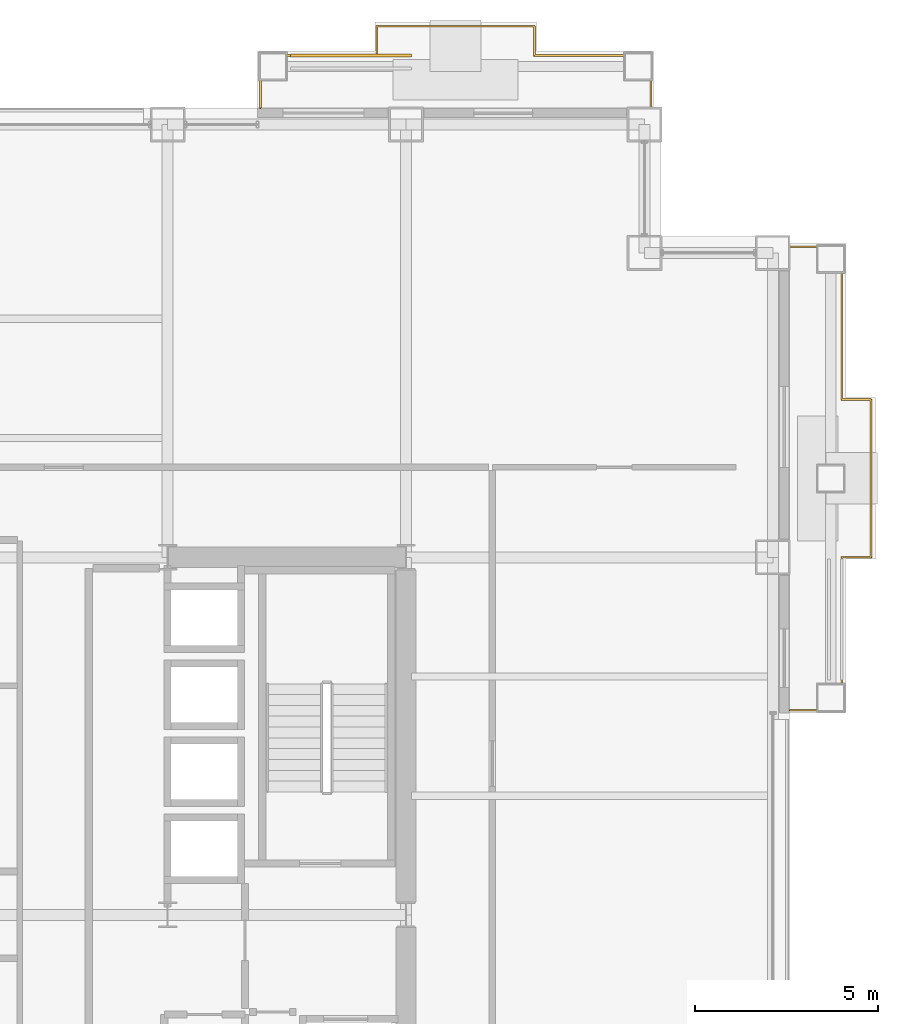
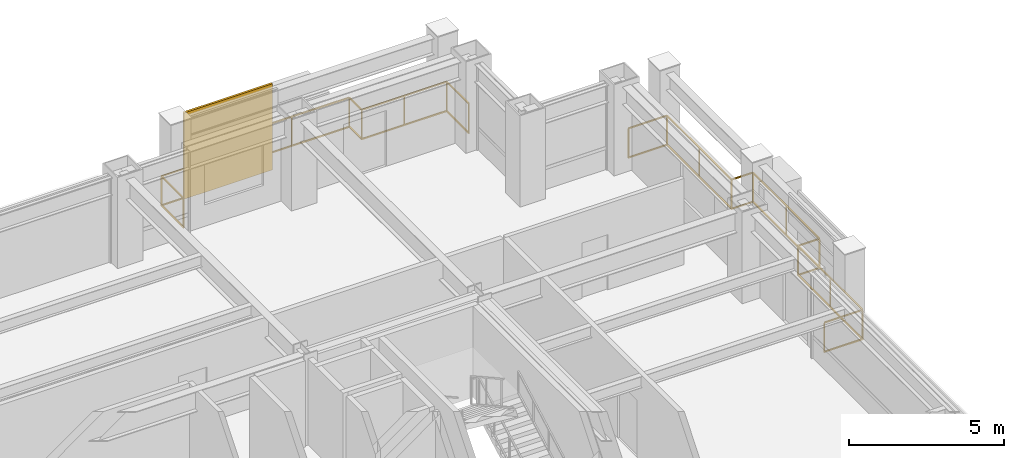
# One storey, part 30 of 31: 2 railings, 1 shading device.
"""IFC4 building model written with IfcOpenShell, lengths in metres."""

from ifc_helpers import new_model, si_unit, direction, frame, origin, origin_2d, place, context, subcontext, project, spatial, rectangle, extrude, material, layer, layer_set, type_object, element, save


model = new_model("IFC4")

# Units and contexts
model_context = context("Model", 3, precision=1e-05, world=origin(), true_north=direction((0.0, 1.0)))
body_context = subcontext(model_context, "Body", "Model", "MODEL_VIEW")
ifc_project = project(units=[si_unit("LENGTHUNIT", "METRE"), si_unit("AREAUNIT", "SQUARE_METRE"), si_unit("VOLUMEUNIT", "CUBIC_METRE"), si_unit("PLANEANGLEUNIT", "RADIAN"), si_unit("MASSUNIT", "GRAM", prefix="KILO")], contexts=[model_context])

# Site, building, storey
site_placement = place(None, origin())
site = spatial("IfcSite", under=ifc_project, at=site_placement, CompositionType="ELEMENT")
building_placement = place(site_placement, origin())
building = spatial("IfcBuilding", under=site, at=building_placement, Name="Brelmoor Portico Tower", CompositionType="ELEMENT")
storey_placement = place(building_placement, frame((0.0, 0.0, 27.60009765625)))
storey = spatial("IfcBuildingStorey", under=building, at=storey_placement, Name="L06", CompositionType="ELEMENT", Elevation=27.60009765625)

# Railings
ifc_material_1 = material(Name="Perforated Pale Champagne Aluminium Fretwork Guard", Category="aluminium")
railing_type = type_object("IfcRailingType", Name="RL-BALUSTRADE-1200", PredefinedType="BALUSTRADE", material=ifc_material_1)
railing_1_placement = place(storey_placement, frame((10.580078125, 22.0, 0.0)))
element("IfcRailing", 1, at=railing_1_placement, inside=storey, type_object=railing_type, Name="L06 Tree Balcony Fretwork Balustrade N", PredefinedType="BALUSTRADE", context=body_context, shape_type="SweptSolid", body=[
    extrude(rectangle(XDim=0.048095703125, YDim=0.048095703125, at=origin_2d()), frame((0.0, 0.0, 1.17578125), z_axis=(0.0, 1.0, 0.0), x_axis=(-1.0, 0.0, 0.0)), (0.0, 0.0, 1.0), 1.429931640625),
    extrude(rectangle(XDim=0.048095703125, YDim=0.048095703125, at=origin_2d()), frame((0.0, 0.0, 0.02392578125), z_axis=(0.0, 1.0, 0.0), x_axis=(-1.0, 0.0, 0.0)), (0.0, 0.0, 1.0), 1.429931640625),
    extrude(rectangle(XDim=0.048095703125, YDim=0.048095703125, at=origin_2d()), frame((0.0, 1.429931640625, 1.17578125), z_axis=(1.0, 0.0, 0.0), x_axis=(0.0, 1.0, 0.0)), (0.0, 0.0, 1.0), 3.169921875),
    extrude(rectangle(XDim=0.048095703125, YDim=0.048095703125, at=origin_2d()), frame((0.0, 1.429931640625, 0.02392578125), z_axis=(1.0, 0.0, 0.0), x_axis=(0.0, 1.0, 0.0)), (0.0, 0.0, 1.0), 3.169921875),
    extrude(rectangle(XDim=0.048095703125, YDim=0.048095703125, at=origin_2d()), frame((3.169921875, 1.429931640625, 1.17578125), z_axis=(0.0, 1.0, 0.0), x_axis=(-1.0, 0.0, 0.0)), (0.0, 0.0, 1.0), 0.800048828125),
    extrude(rectangle(XDim=0.048095703125, YDim=0.048095703125, at=origin_2d()), frame((3.169921875, 1.429931640625, 0.02392578125), z_axis=(0.0, 1.0, 0.0), x_axis=(-1.0, 0.0, 0.0)), (0.0, 0.0, 1.0), 0.800048828125),
    extrude(rectangle(XDim=0.048095703125, YDim=0.048095703125, at=origin_2d()), frame((3.169921875, 2.22998046875, 1.17578125), z_axis=(1.0, 0.0, 0.0), x_axis=(0.0, 1.0, 0.0)), (0.0, 0.0, 1.0), 4.300048828125),
    extrude(rectangle(XDim=0.048095703125, YDim=0.048095703125, at=origin_2d()), frame((3.169921875, 2.22998046875, 0.02392578125), z_axis=(1.0, 0.0, 0.0), x_axis=(0.0, 1.0, 0.0)), (0.0, 0.0, 1.0), 4.300048828125),
    extrude(rectangle(XDim=0.048095703125, YDim=0.048095703125, at=origin_2d()), frame((7.469970703125, 2.22998046875, 1.17578125), z_axis=(0.0, -1.0, 0.0), x_axis=(1.0, 0.0, 0.0)), (0.0, 0.0, 1.0), 0.800048828125),
    extrude(rectangle(XDim=0.048095703125, YDim=0.048095703125, at=origin_2d()), frame((7.469970703125, 2.22998046875, 0.02392578125), z_axis=(0.0, -1.0, 0.0), x_axis=(1.0, 0.0, 0.0)), (0.0, 0.0, 1.0), 0.800048828125),
    extrude(rectangle(XDim=0.048095703125, YDim=0.048095703125, at=origin_2d()), frame((7.469970703125, 1.429931640625, 1.17578125), z_axis=(1.0, 0.0, 0.0), x_axis=(0.0, 1.0, 0.0)), (0.0, 0.0, 1.0), 3.169921875),
    extrude(rectangle(XDim=0.048095703125, YDim=0.048095703125, at=origin_2d()), frame((7.469970703125, 1.429931640625, 0.02392578125), z_axis=(1.0, 0.0, 0.0), x_axis=(0.0, 1.0, 0.0)), (0.0, 0.0, 1.0), 3.169921875),
    extrude(rectangle(XDim=0.048095703125, YDim=0.048095703125, at=origin_2d()), frame((10.639892578125, 1.429931640625, 1.17578125), z_axis=(0.0, -1.0, 0.0), x_axis=(1.0, 0.0, 0.0)), (0.0, 0.0, 1.0), 1.429931640625),
    extrude(rectangle(XDim=0.048095703125, YDim=0.048095703125, at=origin_2d()), frame((10.639892578125, 1.429931640625, 0.02392578125), z_axis=(0.0, -1.0, 0.0), x_axis=(1.0, 0.0, 0.0)), (0.0, 0.0, 1.0), 1.429931640625),
    extrude(rectangle(XDim=0.0419921875, YDim=0.0419921875, at=origin_2d()), origin(), (0.0, 0.0, 1.0), 1.15185546875),
    extrude(rectangle(XDim=0.0419921875, YDim=0.0419921875, at=origin_2d()), frame((0.0, 1.429931640625, 0.0)), (0.0, 0.0, 1.0), 1.15185546875),
    extrude(rectangle(XDim=0.0419921875, YDim=0.0419921875, at=origin_2d()), frame((1.5849609375, 1.429931640625, 0.0)), (0.0, 0.0, 1.0), 1.15185546875),
    extrude(rectangle(XDim=0.0419921875, YDim=0.0419921875, at=origin_2d()), frame((3.169921875, 1.429931640625, 0.0)), (0.0, 0.0, 1.0), 1.15185546875),
    extrude(rectangle(XDim=0.0419921875, YDim=0.0419921875, at=origin_2d()), frame((3.169921875, 2.22998046875, 0.0)), (0.0, 0.0, 1.0), 1.15185546875),
    extrude(rectangle(XDim=0.0419921875, YDim=0.0419921875, at=origin_2d()), frame((5.31982421875, 2.22998046875, 0.0)), (0.0, 0.0, 1.0), 1.15185546875),
    extrude(rectangle(XDim=0.0419921875, YDim=0.0419921875, at=origin_2d()), frame((7.469970703125, 2.22998046875, 0.0)), (0.0, 0.0, 1.0), 1.15185546875),
    extrude(rectangle(XDim=0.0419921875, YDim=0.0419921875, at=origin_2d()), frame((7.469970703125, 1.429931640625, 0.0)), (0.0, 0.0, 1.0), 1.15185546875),
    extrude(rectangle(XDim=0.0419921875, YDim=0.0419921875, at=origin_2d()), frame((9.054931640625, 1.429931640625, 0.0)), (0.0, 0.0, 1.0), 1.15185546875),
    extrude(rectangle(XDim=0.0419921875, YDim=0.0419921875, at=origin_2d()), frame((10.639892578125, 1.429931640625, 0.0)), (0.0, 0.0, 1.0), 1.15185546875),
    extrude(rectangle(XDim=0.0419921875, YDim=0.0419921875, at=origin_2d()), frame((10.639892578125, 0.0, 0.0)), (0.0, 0.0, 1.0), 1.15185546875),
])
railing_2_placement = place(storey_placement, frame((25.0, 5.580078125, 0.0)))
element("IfcRailing", 2, at=railing_2_placement, inside=storey, type_object=railing_type, Name="L06 Tree Balcony Fretwork Balustrade E", PredefinedType="BALUSTRADE", context=body_context, shape_type="SweptSolid", body=[
    extrude(rectangle(XDim=0.048095703125, YDim=0.048095703125, at=origin_2d()), frame((0.0, 0.0, 1.17578125), z_axis=(1.0, 0.0, 0.0), x_axis=(0.0, 1.0, 0.0)), (0.0, 0.0, 1.0), 1.429931640625),
    extrude(rectangle(XDim=0.048095703125, YDim=0.048095703125, at=origin_2d()), frame((0.0, 0.0, 0.02392578125), z_axis=(1.0, 0.0, 0.0), x_axis=(0.0, 1.0, 0.0)), (0.0, 0.0, 1.0), 1.429931640625),
    extrude(rectangle(XDim=0.048095703125, YDim=0.048095703125, at=origin_2d()), frame((1.429931640625, 0.0, 1.17578125), z_axis=(0.0, 1.0, 0.0), x_axis=(-1.0, 0.0, 0.0)), (0.0, 0.0, 1.0), 4.169921875),
    extrude(rectangle(XDim=0.048095703125, YDim=0.048095703125, at=origin_2d()), frame((1.429931640625, 0.0, 0.02392578125), z_axis=(0.0, 1.0, 0.0), x_axis=(-1.0, 0.0, 0.0)), (0.0, 0.0, 1.0), 4.169921875),
    extrude(rectangle(XDim=0.048095703125, YDim=0.048095703125, at=origin_2d()), frame((1.429931640625, 4.169921875, 1.17578125), z_axis=(1.0, 0.0, 0.0), x_axis=(0.0, 1.0, 0.0)), (0.0, 0.0, 1.0), 0.800048828125),
    extrude(rectangle(XDim=0.048095703125, YDim=0.048095703125, at=origin_2d()), frame((1.429931640625, 4.169921875, 0.02392578125), z_axis=(1.0, 0.0, 0.0), x_axis=(0.0, 1.0, 0.0)), (0.0, 0.0, 1.0), 0.800048828125),
    extrude(rectangle(XDim=0.048095703125, YDim=0.048095703125, at=origin_2d()), frame((2.22998046875, 4.169921875, 1.17578125), z_axis=(0.0, 1.0, 0.0), x_axis=(-1.0, 0.0, 0.0)), (0.0, 0.0, 1.0), 4.300048828125),
    extrude(rectangle(XDim=0.048095703125, YDim=0.048095703125, at=origin_2d()), frame((2.22998046875, 4.169921875, 0.02392578125), z_axis=(0.0, 1.0, 0.0), x_axis=(-1.0, 0.0, 0.0)), (0.0, 0.0, 1.0), 4.300048828125),
    extrude(rectangle(XDim=0.048095703125, YDim=0.048095703125, at=origin_2d()), frame((2.22998046875, 8.469970703125, 1.17578125), z_axis=(-1.0, 0.0, 0.0), x_axis=(0.0, -1.0, 0.0)), (0.0, 0.0, 1.0), 0.800048828125),
    extrude(rectangle(XDim=0.048095703125, YDim=0.048095703125, at=origin_2d()), frame((2.22998046875, 8.469970703125, 0.02392578125), z_axis=(-1.0, 0.0, 0.0), x_axis=(0.0, -1.0, 0.0)), (0.0, 0.0, 1.0), 0.800048828125),
    extrude(rectangle(XDim=0.048095703125, YDim=0.048095703125, at=origin_2d()), frame((1.429931640625, 8.469970703125, 1.17578125), z_axis=(0.0, 1.0, 0.0), x_axis=(-1.0, 0.0, 0.0)), (0.0, 0.0, 1.0), 4.169921875),
    extrude(rectangle(XDim=0.048095703125, YDim=0.048095703125, at=origin_2d()), frame((1.429931640625, 8.469970703125, 0.02392578125), z_axis=(0.0, 1.0, 0.0), x_axis=(-1.0, 0.0, 0.0)), (0.0, 0.0, 1.0), 4.169921875),
    extrude(rectangle(XDim=0.048095703125, YDim=0.048095703125, at=origin_2d()), frame((1.429931640625, 12.639892578125, 1.17578125), z_axis=(-1.0, 0.0, 0.0), x_axis=(0.0, -1.0, 0.0)), (0.0, 0.0, 1.0), 1.429931640625),
    extrude(rectangle(XDim=0.048095703125, YDim=0.048095703125, at=origin_2d()), frame((1.429931640625, 12.639892578125, 0.02392578125), z_axis=(-1.0, 0.0, 0.0), x_axis=(0.0, -1.0, 0.0)), (0.0, 0.0, 1.0), 1.429931640625),
    extrude(rectangle(XDim=0.0419921875, YDim=0.0419921875, at=origin_2d()), origin(), (0.0, 0.0, 1.0), 1.15185546875),
    extrude(rectangle(XDim=0.0419921875, YDim=0.0419921875, at=origin_2d()), frame((1.429931640625, 0.0, 0.0)), (0.0, 0.0, 1.0), 1.15185546875),
    extrude(rectangle(XDim=0.0419921875, YDim=0.0419921875, at=origin_2d()), frame((1.429931640625, 2.0849609375, 0.0)), (0.0, 0.0, 1.0), 1.15185546875),
    extrude(rectangle(XDim=0.0419921875, YDim=0.0419921875, at=origin_2d()), frame((1.429931640625, 4.169921875, 0.0)), (0.0, 0.0, 1.0), 1.15185546875),
    extrude(rectangle(XDim=0.0419921875, YDim=0.0419921875, at=origin_2d()), frame((2.22998046875, 4.169921875, 0.0)), (0.0, 0.0, 1.0), 1.15185546875),
    extrude(rectangle(XDim=0.0419921875, YDim=0.0419921875, at=origin_2d()), frame((2.22998046875, 6.31982421875, 0.0)), (0.0, 0.0, 1.0), 1.15185546875),
    extrude(rectangle(XDim=0.0419921875, YDim=0.0419921875, at=origin_2d()), frame((2.22998046875, 8.469970703125, 0.0)), (0.0, 0.0, 1.0), 1.15185546875),
    extrude(rectangle(XDim=0.0419921875, YDim=0.0419921875, at=origin_2d()), frame((1.429931640625, 8.469970703125, 0.0)), (0.0, 0.0, 1.0), 1.15185546875),
    extrude(rectangle(XDim=0.0419921875, YDim=0.0419921875, at=origin_2d()), frame((1.429931640625, 10.554931640625, 0.0)), (0.0, 0.0, 1.0), 1.15185546875),
    extrude(rectangle(XDim=0.0419921875, YDim=0.0419921875, at=origin_2d()), frame((1.429931640625, 12.639892578125, 0.0)), (0.0, 0.0, 1.0), 1.15185546875),
    extrude(rectangle(XDim=0.0419921875, YDim=0.0419921875, at=origin_2d()), frame((0.0, 12.639892578125, 0.0)), (0.0, 0.0, 1.0), 1.15185546875),
])

# Shading device
ifc_material_2 = material(Name="Powder-Coated Aluminium Shuttered Jalousie", Category="aluminium")
ifc_layer = layer(ifc_material_2, 0.080078125)
ifc_layer_set = layer_set([ifc_layer], Name="Powder-Coated Aluminium Shuttered Jalousie")
shading_device_type = type_object("IfcShadingDeviceType", Name="SD-JALOUSIE-LOGGIA", PredefinedType="JALOUSIE", material=ifc_layer_set)
shading_device_placement = place(storey_placement, frame((13.050048828125, 23.429931640625, 0.0), z_axis=(0.0, 0.0, 1.0), x_axis=(1.0, 0.0, 0.0)))
element("IfcShadingDevice", 3, at=shading_device_placement, inside=storey, type_object=shading_device_type, Name="L06 Loggia Shuttered Jalousie N", PredefinedType="JALOUSIE", context=body_context, shape_type="SweptSolid", body=[
    extrude(rectangle(XDim=3.300048828125, YDim=0.080078125, at=origin_2d()), origin(), (0.0, 0.0, 1.0), 3.39990234375),
])

save(model, "model.ifc")
